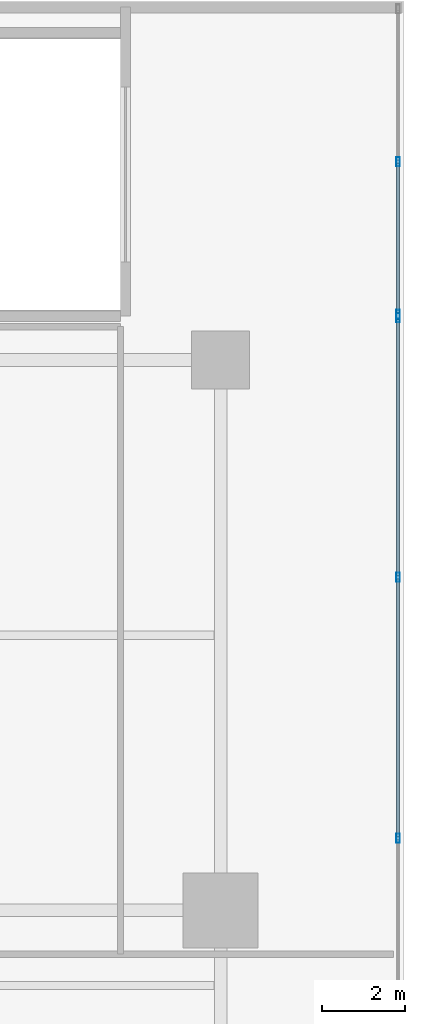
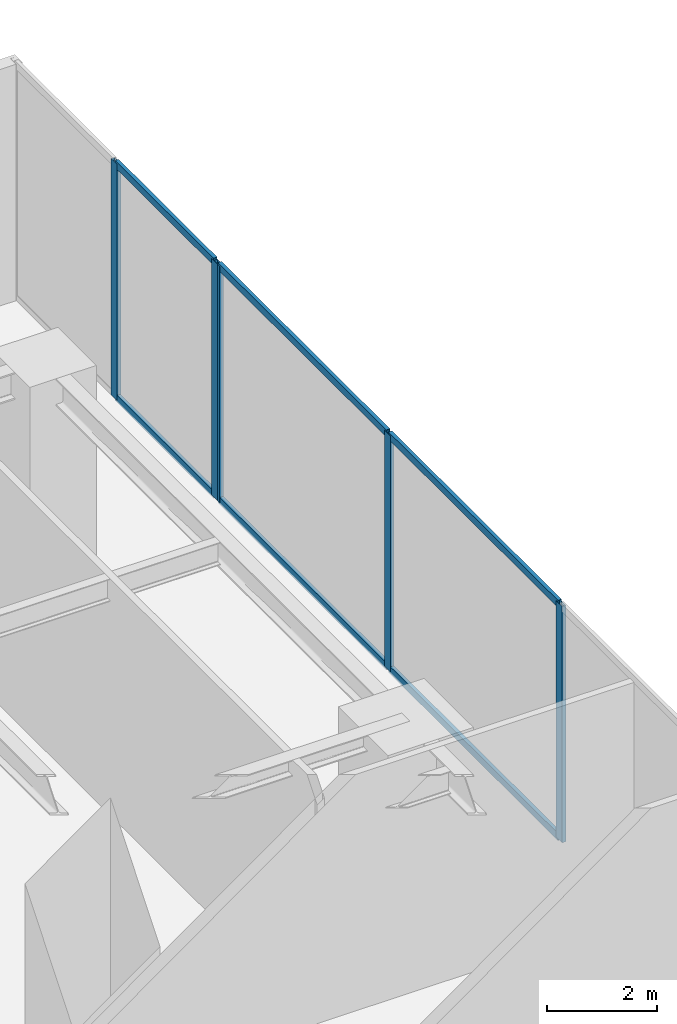
# One storey, part 8 of 17: 11 members, 2 elements without a shape of their own.
"""IFC4 building model written with IfcOpenShell, lengths in metres."""

from ifc_helpers import new_model, si_unit, direction, frame, origin, origin_with_axes, origin_2d, place, context, subcontext, project, spatial, hollow_rectangle, extrude, source, transform, mapped, material, layer, layer_set, material_profile, profile_set, type_object, element, aggregate, save


model = new_model("IFC4")

# Units and contexts
model_context = context("Model", 3, precision=1e-05, world=origin(), true_north=direction((0.0, 1.0)))
body_context = subcontext(model_context, "Body", "Model", "MODEL_VIEW")
ifc_project = project(units=[si_unit("LENGTHUNIT", "METRE"), si_unit("AREAUNIT", "SQUARE_METRE"), si_unit("VOLUMEUNIT", "CUBIC_METRE"), si_unit("PLANEANGLEUNIT", "RADIAN"), si_unit("MASSUNIT", "GRAM", prefix="KILO")], contexts=[model_context])

# Site, building, storey
site_placement = place(None, origin())
site = spatial("IfcSite", under=ifc_project, at=site_placement, CompositionType="ELEMENT")
building_placement = place(site_placement, origin())
building = spatial("IfcBuilding", under=site, at=building_placement, Name="Kolvaren Waterfront Exchange", CompositionType="ELEMENT")
storey_placement = place(building_placement, origin())
storey = spatial("IfcBuildingStorey", under=building, at=storey_placement, Name="L01", CompositionType="ELEMENT", Elevation=0.0)

# Curtain wall, members
ifc_material_1 = material(Name="Anodised bronze aluminium 6063-T6", Category="aluminium")
ifc_layer = layer(ifc_material_1, 0.219970703125, Name="Anodised bronze aluminium 6063-T6")
ifc_layer_set = layer_set([ifc_layer], Name="Anodised bronze aluminium 6063-T6")
curtain_wall_type = type_object("IfcCurtainWallType", Name="ARC-CW-SYS4", PredefinedType="USERDEFINED", material=ifc_layer_set)
curtain_wall_1_placement = place(storey_placement, origin())
curtain_wall_1 = element("IfcCurtainWall", 1, at=curtain_wall_1_placement, inside=storey, type_object=curtain_wall_type, Name="L01 stick curtain wall CW4 (CW-L01-E1)", ObjectType="STICK CURTAIN WALL", PredefinedType="USERDEFINED")
ifc_material_2 = material(Name="Anodised aluminium 6063-T6", Category="aluminium")
ifc_material_profile_1 = material_profile(ifc_material_2, hollow_rectangle(XDim=0.080078125, YDim=0.219970703125, WallThickness=0.0048828125, at=origin_2d()), Name="ALU-MUL-220x80x5")
ifc_profile_set_1 = profile_set([ifc_material_profile_1], Name="Anodised aluminium 6063-T6")
member_type_1 = type_object("IfcMemberType", Name="ARC-CWM-220", PredefinedType="MULLION", material=ifc_profile_set_1)
shared_shape_1 = source(origin_with_axes(), body_context, "Body", "SweptSolid", [
    extrude(hollow_rectangle(XDim=0.080078125, YDim=0.219970703125, WallThickness=0.0048828125, at=origin_2d()), origin(), (0.0, 0.0, 1.0), 5.260009765625),
])
member_1_placement = place(storey_placement, frame((64.659912109375, 19.1298828125, 0.0), z_axis=(0.0, 0.0, 1.0), x_axis=(-1.0, 0.0, 0.0)))
member_1 = element("IfcMember", 2, at=member_1_placement, type_object=member_type_1, Name="CW4 mullion 4", PredefinedType="MULLION", context=body_context, shape_type="MappedRepresentation", body=[
    mapped(shared_shape_1, transform((0.0, 0.0, 0.0), x_axis=(1.0, 0.0, 0.0), y_axis=(0.0, 1.0, 0.0), z_axis=(0.0, 0.0, 1.0), scale=1.0)),
])
member_2_placement = place(storey_placement, frame((64.659912109375, 25.389892578125, 0.0), z_axis=(0.0, 0.0, 1.0), x_axis=(-1.0, 0.0, 0.0)))
member_2 = element("IfcMember", 3, at=member_2_placement, type_object=member_type_1, Name="CW4 mullion 5", PredefinedType="MULLION", context=body_context, shape_type="MappedRepresentation", body=[
    mapped(shared_shape_1, transform((0.0, 0.0, 0.0), x_axis=(1.0, 0.0, 0.0), y_axis=(0.0, 1.0, 0.0), z_axis=(0.0, 0.0, 1.0), scale=1.0)),
])
member_3_placement = place(storey_placement, frame((64.659912109375, 31.610107421875, 0.0), z_axis=(0.0, 0.0, 1.0), x_axis=(-1.0, 0.0, 0.0)))
member_3 = element("IfcMember", 4, at=member_3_placement, type_object=member_type_1, Name="CW4 mullion 6", PredefinedType="MULLION", context=body_context, shape_type="MappedRepresentation", body=[
    mapped(shared_shape_1, transform((0.0, 0.0, 0.0), x_axis=(1.0, 0.0, 0.0), y_axis=(0.0, 1.0, 0.0), z_axis=(0.0, 0.0, 1.0), scale=1.0)),
])

curtain_wall_2_placement = place(storey_placement, origin())
curtain_wall_2 = element("IfcCurtainWall", 5, at=curtain_wall_2_placement, inside=storey, type_object=curtain_wall_type, Name="L01 stick curtain wall CW4 (CW-L01-E1B)", ObjectType="STICK CURTAIN WALL", PredefinedType="USERDEFINED")
member_4_placement = place(storey_placement, frame((64.659912109375, 31.68994140625, 0.0), z_axis=(0.0, 0.0, 1.0), x_axis=(-1.0, 0.0, 0.0)))
member_4 = element("IfcMember", 6, at=member_4_placement, type_object=member_type_1, Name="CW4 mullion 1", PredefinedType="MULLION", context=body_context, shape_type="MappedRepresentation", body=[
    mapped(shared_shape_1, transform((0.0, 0.0, 0.0), x_axis=(1.0, 0.0, 0.0), y_axis=(0.0, 1.0, 0.0), z_axis=(0.0, 0.0, 1.0), scale=1.0)),
])
member_5_placement = place(storey_placement, frame((64.659912109375, 35.35498046875, 0.0), z_axis=(0.0, 0.0, 1.0), x_axis=(-1.0, 0.0, 0.0)))
member_5 = element("IfcMember", 7, at=member_5_placement, type_object=member_type_1, Name="CW4 mullion 2", PredefinedType="MULLION", context=body_context, shape_type="MappedRepresentation", body=[
    mapped(shared_shape_1, transform((0.0, 0.0, 0.0), x_axis=(1.0, 0.0, 0.0), y_axis=(0.0, 1.0, 0.0), z_axis=(0.0, 0.0, 1.0), scale=1.0)),
])

# Member
ifc_material_profile_2 = material_profile(ifc_material_2, hollow_rectangle(XDim=0.074951171875, YDim=0.159912109375, WallThickness=0.00439453125, at=origin_2d()), Name="ALU-TRN-160x75x4.5")
ifc_profile_set_2 = profile_set([ifc_material_profile_2], Name="Anodised aluminium 6063-T6")
member_type_2 = type_object("IfcMemberType", Name="ARC-CWT-160", PredefinedType="USERDEFINED", material=ifc_profile_set_2)
shared_shape_2 = source(origin_with_axes(), body_context, "Body", "SweptSolid", [
    extrude(hollow_rectangle(XDim=0.074951171875, YDim=0.159912109375, WallThickness=0.00439453125, at=origin_2d()), origin(), (0.0, 0.0, 1.0), 6.14013671875),
])
member_6_placement = place(storey_placement, frame((64.659912109375, 25.429931640625, 0.03759765625), z_axis=(0.0, 1.0, 0.0), x_axis=(-1.0, 0.0, 0.0)))
member_6 = element("IfcMember", 8, at=member_6_placement, type_object=member_type_2, Name="CW4 transom 5.1", ObjectType="TRANSOM", PredefinedType="USERDEFINED", context=body_context, shape_type="MappedRepresentation", body=[
    mapped(shared_shape_2, transform((0.0, 0.0, 0.0), x_axis=(1.0, 0.0, 0.0), y_axis=(0.0, 1.0, 0.0), z_axis=(0.0, 0.0, 1.0), scale=1.0)),
])

member_7_placement = place(storey_placement, frame((64.659912109375, 25.429931640625, 5.222412109375), z_axis=(0.0, 1.0, 0.0), x_axis=(-1.0, 0.0, 0.0)))
member_7 = element("IfcMember", 9, at=member_7_placement, type_object=member_type_2, Name="CW4 transom 5.2", ObjectType="TRANSOM", PredefinedType="USERDEFINED", context=body_context, shape_type="MappedRepresentation", body=[
    mapped(shared_shape_2, transform((0.0, 0.0, 0.0), x_axis=(1.0, 0.0, 0.0), y_axis=(0.0, 1.0, 0.0), z_axis=(0.0, 0.0, 1.0), scale=1.0)),
])

shared_shape_3 = source(origin_with_axes(), body_context, "Body", "SweptSolid", [
    extrude(hollow_rectangle(XDim=0.074951171875, YDim=0.159912109375, WallThickness=0.00439453125, at=origin_2d()), origin(), (0.0, 0.0, 1.0), 6.18017578125),
])
member_8_placement = place(storey_placement, frame((64.659912109375, 19.169921875, 0.03759765625), z_axis=(0.0, 1.0, 0.0), x_axis=(-1.0, 0.0, 0.0)))
member_8 = element("IfcMember", 10, at=member_8_placement, type_object=member_type_2, Name="CW4 transom 4.1", ObjectType="TRANSOM", PredefinedType="USERDEFINED", context=body_context, shape_type="MappedRepresentation", body=[
    mapped(shared_shape_3, transform((0.0, 0.0, 0.0), x_axis=(1.0, 0.0, 0.0), y_axis=(0.0, 1.0, 0.0), z_axis=(0.0, 0.0, 1.0), scale=1.0)),
])

member_9_placement = place(storey_placement, frame((64.659912109375, 19.169921875, 5.222412109375), z_axis=(0.0, 1.0, 0.0), x_axis=(-1.0, 0.0, 0.0)))
member_9 = element("IfcMember", 11, at=member_9_placement, type_object=member_type_2, Name="CW4 transom 4.2", ObjectType="TRANSOM", PredefinedType="USERDEFINED", context=body_context, shape_type="MappedRepresentation", body=[
    mapped(shared_shape_3, transform((0.0, 0.0, 0.0), x_axis=(1.0, 0.0, 0.0), y_axis=(0.0, 1.0, 0.0), z_axis=(0.0, 0.0, 1.0), scale=1.0)),
])

aggregate(curtain_wall_1, [member_1, member_2, member_3, member_8, member_9, member_6, member_7])

shared_shape_4 = source(origin_with_axes(), body_context, "Body", "SweptSolid", [
    extrude(hollow_rectangle(XDim=0.074951171875, YDim=0.159912109375, WallThickness=0.00439453125, at=origin_2d()), origin(), (0.0, 0.0, 1.0), 3.5849609375),
])
member_10_placement = place(storey_placement, frame((64.659912109375, 31.72998046875, 0.03759765625), z_axis=(0.0, 1.0, 0.0), x_axis=(-1.0, 0.0, 0.0)))
member_10 = element("IfcMember", 12, at=member_10_placement, type_object=member_type_2, Name="CW4 transom 1.1", ObjectType="TRANSOM", PredefinedType="USERDEFINED", context=body_context, shape_type="MappedRepresentation", body=[
    mapped(shared_shape_4, transform((0.0, 0.0, 0.0), x_axis=(1.0, 0.0, 0.0), y_axis=(0.0, 1.0, 0.0), z_axis=(0.0, 0.0, 1.0), scale=1.0)),
])

member_11_placement = place(storey_placement, frame((64.659912109375, 31.72998046875, 5.222412109375), z_axis=(0.0, 1.0, 0.0), x_axis=(-1.0, 0.0, 0.0)))
member_11 = element("IfcMember", 13, at=member_11_placement, type_object=member_type_2, Name="CW4 transom 1.2", ObjectType="TRANSOM", PredefinedType="USERDEFINED", context=body_context, shape_type="MappedRepresentation", body=[
    mapped(shared_shape_4, transform((0.0, 0.0, 0.0), x_axis=(1.0, 0.0, 0.0), y_axis=(0.0, 1.0, 0.0), z_axis=(0.0, 0.0, 1.0), scale=1.0)),
])

aggregate(curtain_wall_2, [member_4, member_5, member_10, member_11])

save(model, "model.ifc")
